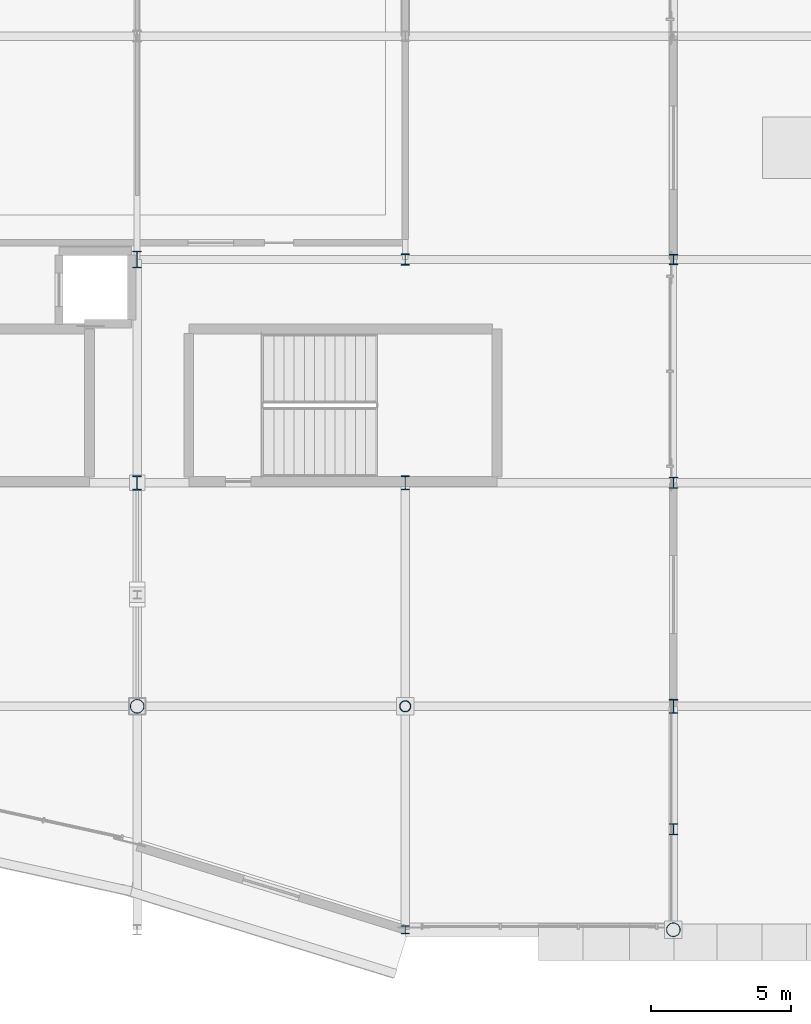
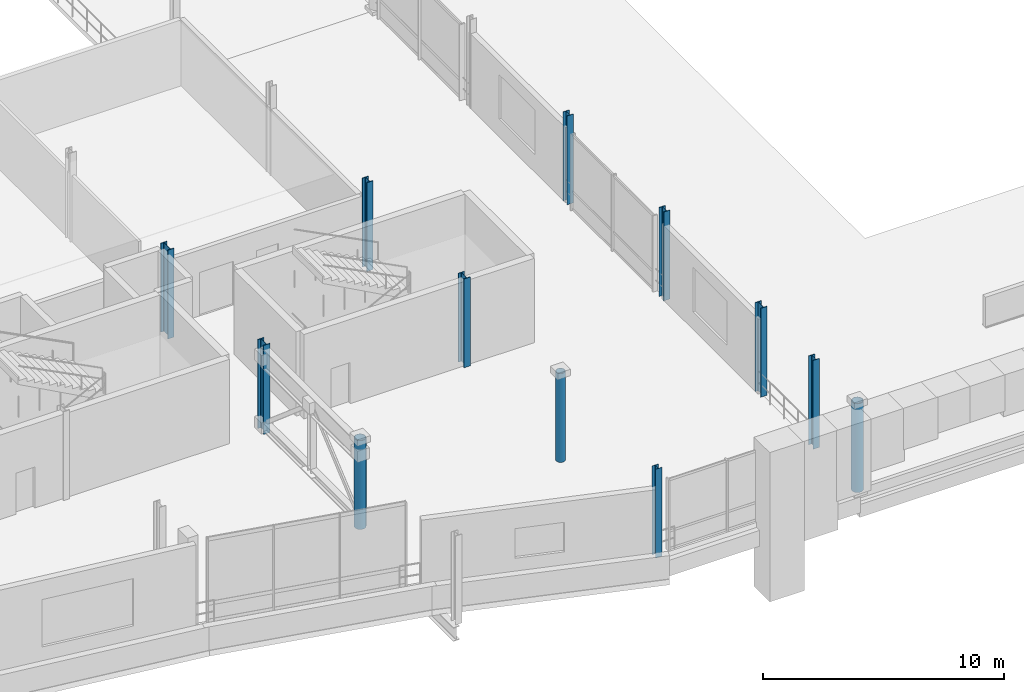
# One storey, part 6 of 193: 12 columns.
"""IFC4 building model written with IfcOpenShell, lengths in metres."""

from ifc_helpers import new_model, si_unit, direction, frame, origin, origin_2d, place, context, subcontext, project, spatial, hollow_circle, i_section, extrude, material, material_profile, profile_set, type_object, element, save


model = new_model("IFC4")

# Units and contexts
model_context = context("Model", 3, precision=1e-05, world=origin(), true_north=direction((0.0, 1.0)))
body_context = subcontext(model_context, "Body", "Model", "MODEL_VIEW")
ifc_project = project(units=[si_unit("LENGTHUNIT", "METRE"), si_unit("AREAUNIT", "SQUARE_METRE"), si_unit("VOLUMEUNIT", "CUBIC_METRE"), si_unit("PLANEANGLEUNIT", "RADIAN"), si_unit("MASSUNIT", "GRAM", prefix="KILO")], contexts=[model_context])

# Site, building, storey
site_placement = place(None, origin())
site = spatial("IfcSite", under=ifc_project, at=site_placement, CompositionType="ELEMENT")
building_placement = place(site_placement, origin())
building = spatial("IfcBuilding", under=site, at=building_placement, Name="Danafjord Basin Convention Centre", CompositionType="ELEMENT")
storey_placement = place(building_placement, frame((0.0, 0.0, 11.39990234375)))
storey = spatial("IfcBuildingStorey", under=building, at=storey_placement, Name="L02", CompositionType="ELEMENT", Elevation=11.39990234375)

# Columns
ifc_material = material(Name="Steel S355", Category="steel")
ifc_material_profile_1 = material_profile(ifc_material, hollow_circle(Radius=0.203125, WallThickness=0.02001953125, at=origin_2d()), Name="CHS 406.4x20.0")
ifc_profile_set_1 = profile_set([ifc_material_profile_1], Name="Steel S355")
column_type_1 = type_object("IfcColumnType", Name="COL-C-CHS406", PredefinedType="COLUMN", material=ifc_profile_set_1)
column_1_placement = place(storey_placement, frame((105.60009765625, 8.0, 0.0), z_axis=(0.0, 0.0, 1.0), x_axis=(1.0, 0.0, 0.0)))
element("IfcColumn", 1, at=column_1_placement, inside=storey, type_object=column_type_1, Name="L02 column C-CHS406 at (105.6, 8.0)", PredefinedType="COLUMN", context=body_context, shape_type="SweptSolid", body=[
    extrude(hollow_circle(Radius=0.203125, WallThickness=0.02001953125, at=origin_2d()), origin(), (0.0, 0.0, 1.0), 4.5),
])
ifc_material_profile_2 = material_profile(ifc_material, hollow_circle(Radius=0.25390625, WallThickness=0.02490234375, at=origin_2d()), Name="CHS 508.0x25.0")
ifc_profile_set_2 = profile_set([ifc_material_profile_2], Name="Steel S355")
column_type_2 = type_object("IfcColumnType", Name="COL-C-CHS508", PredefinedType="COLUMN", material=ifc_profile_set_2)
for number, where, z_axis, x_axis, name in (
    (2, (96.0, 8.0, 0.0), (0.0, 0.0, 1.0), (1.0, 0.0, 0.0), "L02 column C-CHS508 at (96.0, 8.0)"),
    (3, (115.199951171875, 0.0, 0.0), (0.0, 0.0, 1.0), (1.0, 0.0, 0.0), "L02 column C-CHS508 at (115.2, 0.0)"),
):
    element("IfcColumn", number, at=place(storey_placement, frame(where, z_axis=z_axis, x_axis=x_axis)), inside=storey, type_object=column_type_2, Name=name, PredefinedType="COLUMN", context=body_context, shape_type="SweptSolid", body=[
        extrude(hollow_circle(Radius=0.25390625, WallThickness=0.02490234375, at=origin_2d()), origin(), (0.0, 0.0, 1.0), 4.5),
    ])
ifc_material_profile_3 = material_profile(ifc_material, i_section(OverallWidth=0.300048828125, OverallDepth=0.300048828125, WebThickness=0.010986328125, FlangeThickness=0.01904296875, FilletRadius=0.027099609375, at=origin_2d()), Name="HEB 300")
ifc_profile_set_3 = profile_set([ifc_material_profile_3], Name="Steel S355")
column_type_3 = type_object("IfcColumnType", Name="COL-C-HEB300", PredefinedType="COLUMN", material=ifc_profile_set_3)
column_2_placement = place(storey_placement, frame((105.60009765625, 0.0, 0.0), z_axis=(0.0, 0.0, 1.0), x_axis=(1.0, 0.0, 0.0)))
element("IfcColumn", 4, at=column_2_placement, inside=storey, type_object=column_type_3, Name="L02 column C-HEB300 at (105.6, 0.0)", PredefinedType="COLUMN", context=body_context, shape_type="SweptSolid", body=[
    extrude(i_section(OverallWidth=0.300048828125, OverallDepth=0.300048828125, WebThickness=0.010986328125, FlangeThickness=0.01904296875, FilletRadius=0.027099609375, at=origin_2d()), origin(), (0.0, 0.0, 1.0), 4.5),
])
ifc_material_profile_4 = material_profile(ifc_material, i_section(OverallWidth=0.300048828125, OverallDepth=0.360107421875, WebThickness=0.012451171875, FlangeThickness=0.0224609375, FilletRadius=0.027099609375, at=origin_2d()), Name="HEB 360")
ifc_profile_set_4 = profile_set([ifc_material_profile_4], Name="Steel S355")
column_type_4 = type_object("IfcColumnType", Name="COL-C-HEB360", PredefinedType="COLUMN", material=ifc_profile_set_4)
column_3_placement = place(storey_placement, frame((115.199951171875, 24.0, 0.0), z_axis=(0.0, 0.0, 1.0), x_axis=(1.0, 0.0, 0.0)))
element("IfcColumn", 5, at=column_3_placement, inside=storey, type_object=column_type_4, Name="L02 column C-HEB360 at (115.2, 24.0)", PredefinedType="COLUMN", context=body_context, shape_type="SweptSolid", body=[
    extrude(i_section(OverallWidth=0.300048828125, OverallDepth=0.360107421875, WebThickness=0.012451171875, FlangeThickness=0.0224609375, FilletRadius=0.027099609375, at=origin_2d()), origin(), (0.0, 0.0, 1.0), 4.5),
])
ifc_material_profile_5 = material_profile(ifc_material, i_section(OverallWidth=0.300048828125, OverallDepth=0.39990234375, WebThickness=0.013427734375, FlangeThickness=0.02392578125, FilletRadius=0.027099609375, at=origin_2d()), Name="HEB 400")
ifc_profile_set_5 = profile_set([ifc_material_profile_5], Name="Steel S355")
column_type_5 = type_object("IfcColumnType", Name="COL-C-HEB400", PredefinedType="COLUMN", material=ifc_profile_set_5)
for number, where, z_axis, x_axis, name in (
    (6, (105.60009765625, 24.0, 0.0), (0.0, 0.0, 1.0), (1.0, 0.0, 0.0), "L02 column C-HEB400 at (105.6, 24.0)"),
    (7, (115.199951171875, 16.0, 0.0), (0.0, 0.0, 1.0), (1.0, 0.0, 0.0), "L02 column C-HEB400 at (115.2, 16.0)"),
    (8, (115.199951171875, 3.60009765625, 0.0), (0.0, 0.0, 1.0), (1.0, 0.0, 0.0), "L02 column C-HEB400 at (115.2, 3.6)"),
):
    element("IfcColumn", number, at=place(storey_placement, frame(where, z_axis=z_axis, x_axis=x_axis)), inside=storey, type_object=column_type_5, Name=name, PredefinedType="COLUMN", context=body_context, shape_type="SweptSolid", body=[
        extrude(i_section(OverallWidth=0.300048828125, OverallDepth=0.39990234375, WebThickness=0.013427734375, FlangeThickness=0.02392578125, FilletRadius=0.027099609375, at=origin_2d()), origin(), (0.0, 0.0, 1.0), 4.5),
    ])
ifc_material_profile_6 = material_profile(ifc_material, i_section(OverallWidth=0.300048828125, OverallDepth=0.5, WebThickness=0.014404296875, FlangeThickness=0.028076171875, FilletRadius=0.027099609375, at=origin_2d()), Name="HEB 500")
ifc_profile_set_6 = profile_set([ifc_material_profile_6], Name="Steel S355")
column_type_6 = type_object("IfcColumnType", Name="COL-C-HEB500", PredefinedType="COLUMN", material=ifc_profile_set_6)
for number, where, z_axis, x_axis, name in (
    (9, (105.60009765625, 16.0, 0.0), (0.0, 0.0, 1.0), (1.0, 0.0, 0.0), "L02 column C-HEB500 at (105.6, 16.0)"),
    (10, (115.199951171875, 8.0, 0.0), (0.0, 0.0, 1.0), (1.0, 0.0, 0.0), "L02 column C-HEB500 at (115.2, 8.0)"),
):
    element("IfcColumn", number, at=place(storey_placement, frame(where, z_axis=z_axis, x_axis=x_axis)), inside=storey, type_object=column_type_6, Name=name, PredefinedType="COLUMN", context=body_context, shape_type="SweptSolid", body=[
        extrude(i_section(OverallWidth=0.300048828125, OverallDepth=0.5, WebThickness=0.014404296875, FlangeThickness=0.028076171875, FilletRadius=0.027099609375, at=origin_2d()), origin(), (0.0, 0.0, 1.0), 4.5),
    ])
ifc_material_profile_7 = material_profile(ifc_material, i_section(OverallWidth=0.300048828125, OverallDepth=0.60009765625, WebThickness=0.015380859375, FlangeThickness=0.030029296875, FilletRadius=0.027099609375, at=origin_2d()), Name="HEB 600")
ifc_profile_set_7 = profile_set([ifc_material_profile_7], Name="Steel S355")
column_type_7 = type_object("IfcColumnType", Name="COL-C-HEB600", PredefinedType="COLUMN", material=ifc_profile_set_7)
column_4_placement = place(storey_placement, frame((96.0, 24.0, 0.0), z_axis=(0.0, 0.0, 1.0), x_axis=(1.0, 0.0, 0.0)))
element("IfcColumn", 11, at=column_4_placement, inside=storey, type_object=column_type_7, Name="L02 column C-HEB600 at (96.0, 24.0)", PredefinedType="COLUMN", context=body_context, shape_type="SweptSolid", body=[
    extrude(i_section(OverallWidth=0.300048828125, OverallDepth=0.60009765625, WebThickness=0.015380859375, FlangeThickness=0.030029296875, FilletRadius=0.027099609375, at=origin_2d()), origin(), (0.0, 0.0, 1.0), 4.5),
])
ifc_material_profile_8 = material_profile(ifc_material, i_section(OverallWidth=0.305908203125, OverallDepth=0.52392578125, WebThickness=0.02099609375, FlangeThickness=0.0400390625, FilletRadius=0.027099609375, at=origin_2d()), Name="HEM 500")
ifc_profile_set_8 = profile_set([ifc_material_profile_8], Name="Steel S355")
column_type_8 = type_object("IfcColumnType", Name="COL-C-HEM500", PredefinedType="COLUMN", material=ifc_profile_set_8)
column_5_placement = place(storey_placement, frame((96.0, 16.0, 0.0), z_axis=(0.0, 0.0, 1.0), x_axis=(1.0, 0.0, 0.0)))
element("IfcColumn", 12, at=column_5_placement, inside=storey, type_object=column_type_8, Name="L02 column C-HEM500 at (96.0, 16.0)", PredefinedType="COLUMN", context=body_context, shape_type="SweptSolid", body=[
    extrude(i_section(OverallWidth=0.305908203125, OverallDepth=0.52392578125, WebThickness=0.02099609375, FlangeThickness=0.0400390625, FilletRadius=0.027099609375, at=origin_2d()), origin(), (0.0, 0.0, 1.0), 4.5),
])

save(model, "model.ifc")
